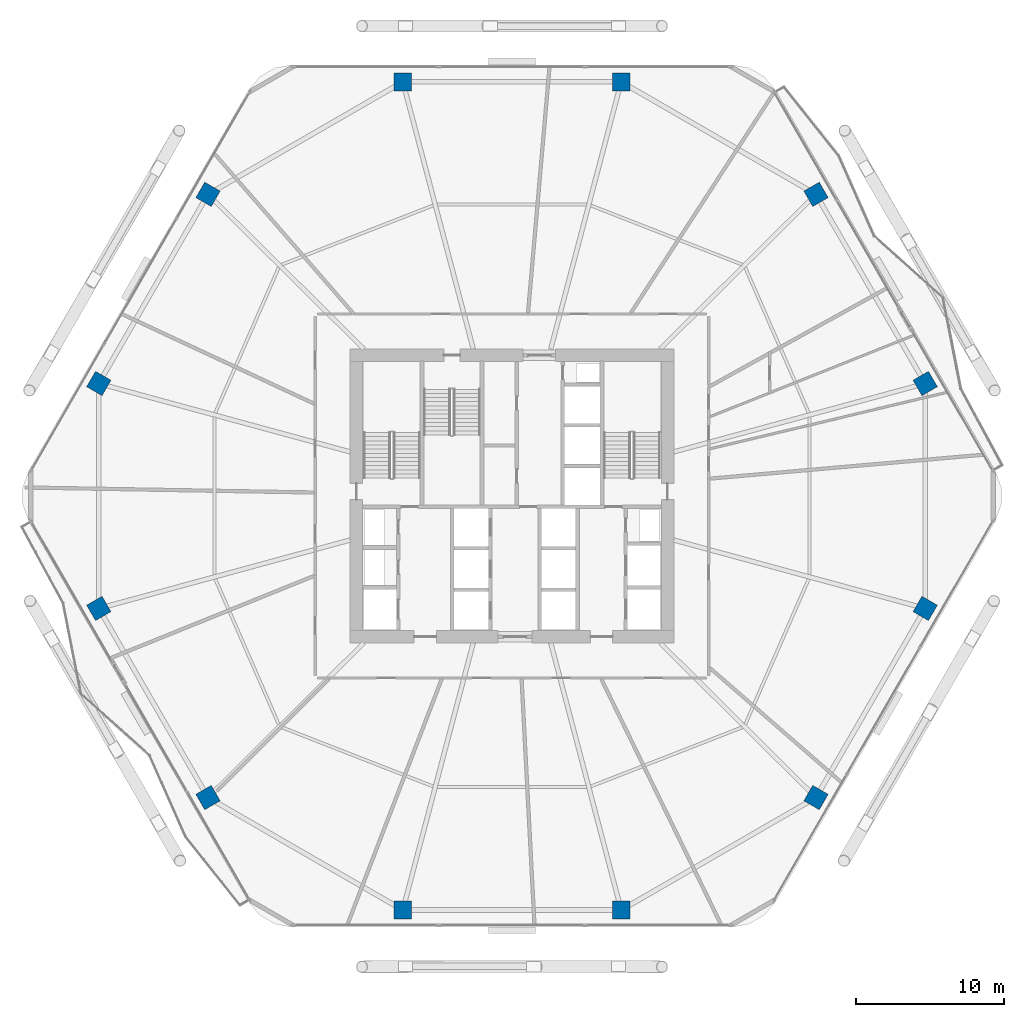
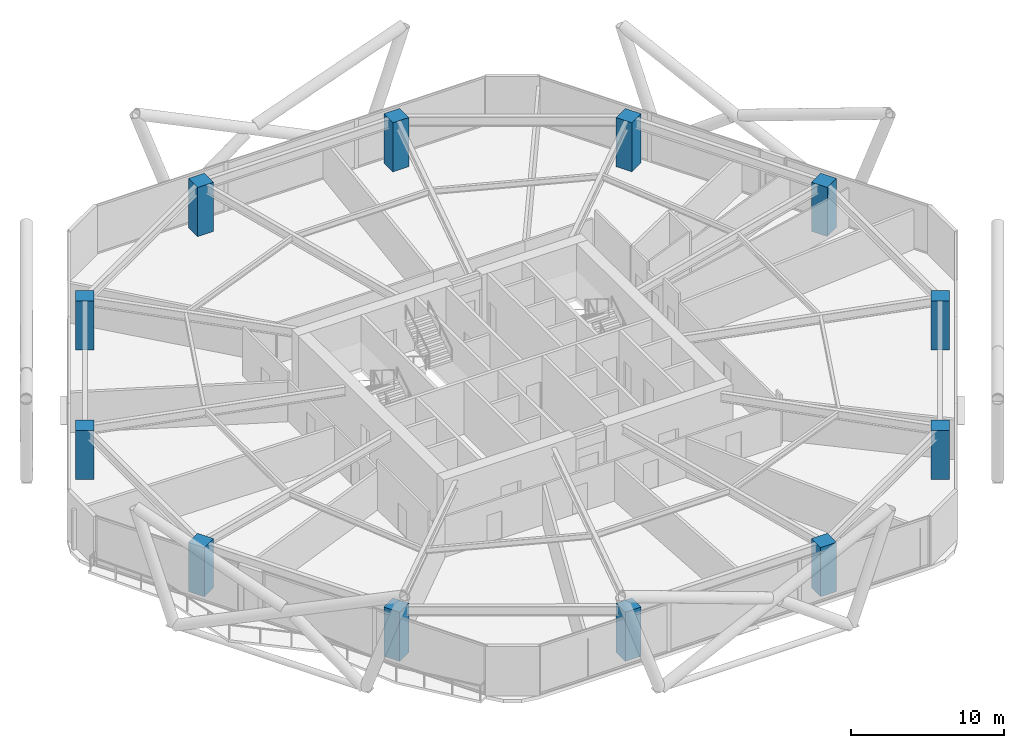
# One storey, part 1 of 30: 12 columns.
"""IFC4 building model written with IfcOpenShell, lengths in metres."""

from ifc_helpers import new_model, si_unit, direction, frame, origin, origin_2d, place, context, subcontext, project, spatial, rectangle, extrude, material, material_profile, profile_set, type_object, element, save


model = new_model("IFC4")

# Units and contexts
model_context = context("Model", 3, precision=1e-05, world=origin(), true_north=direction((0.0, 1.0)))
body_context = subcontext(model_context, "Body", "Model", "MODEL_VIEW")
ifc_project = project(units=[si_unit("LENGTHUNIT", "METRE"), si_unit("AREAUNIT", "SQUARE_METRE"), si_unit("VOLUMEUNIT", "CUBIC_METRE"), si_unit("PLANEANGLEUNIT", "RADIAN"), si_unit("MASSUNIT", "GRAM", prefix="KILO")], contexts=[model_context])

# Site, building, storey
site_placement = place(None, origin())
site = spatial("IfcSite", under=ifc_project, at=site_placement, CompositionType="ELEMENT")
building_placement = place(site_placement, origin())
building = spatial("IfcBuilding", under=site, at=building_placement, Name="Zuhravey Tower", CompositionType="ELEMENT")
storey_placement = place(building_placement, frame((0.0, 0.0, 16.199951171875)))
storey = spatial("IfcBuildingStorey", under=building, at=storey_placement, Name="L04", CompositionType="ELEMENT", Elevation=16.199951171875)

# Columns
ifc_material = material(Name="Concrete C60/75", Category="concrete")
ifc_material_profile = material_profile(ifc_material, rectangle(XDim=1.199951171875, YDim=1.199951171875, at=origin_2d()), Name="RC-1200x1200")
ifc_profile_set = profile_set([ifc_material_profile], Name="Concrete C60/75")
column_type = type_object("IfcColumnType", Name="Zone 1 Perimeter Column 1200x1200", PredefinedType="COLUMN", material=ifc_profile_set)
for number, where, z_axis, x_axis, name in (
    (1, (63.88916015625, 39.591552734375, 0.0), (0.0, 0.0, 1.0), (-0.5, 0.866025403784, 0.0), "L04 Perimeter Column PC01"),
    (2, (56.51904296875, 52.35693359375, 0.0), (0.0, 0.0, 1.0), (-0.5, 0.866025403784, 0.0), "L04 Perimeter Column PC02"),
    (3, (43.3701171875, 59.948486328125, 0.0), (0.0, 0.0, 1.0), (-1.0, 0.0, 0.0), "L04 Perimeter Column PC03"),
    (4, (28.6298828125, 59.948486328125, 0.0), (0.0, 0.0, 1.0), (-1.0, 0.0, 0.0), "L04 Perimeter Column PC04"),
    (5, (15.48095703125, 52.35693359375, 0.0), (0.0, 0.0, 1.0), (-0.5, -0.866025403784, 0.0), "L04 Perimeter Column PC05"),
    (6, (8.11083984375, 39.591552734375, 0.0), (0.0, 0.0, 1.0), (-0.5, -0.866025403784, 0.0), "L04 Perimeter Column PC06"),
    (7, (8.11083984375, 24.408447265625, 0.0), (0.0, 0.0, 1.0), (0.5, -0.866025403784, 0.0), "L04 Perimeter Column PC07"),
    (8, (15.48095703125, 11.64306640625, 0.0), (0.0, 0.0, 1.0), (0.5, -0.866025403784, 0.0), "L04 Perimeter Column PC08"),
    (9, (28.6298828125, 4.051513671875, 0.0), (0.0, 0.0, 1.0), (1.0, 0.0, 0.0), "L04 Perimeter Column PC09"),
    (10, (43.3701171875, 4.051513671875, 0.0), (0.0, 0.0, 1.0), (1.0, 0.0, 0.0), "L04 Perimeter Column PC10"),
    (11, (56.51904296875, 11.64306640625, 0.0), (0.0, 0.0, 1.0), (0.5, 0.866025403784, 0.0), "L04 Perimeter Column PC11"),
    (12, (63.88916015625, 24.408447265625, 0.0), (0.0, 0.0, 1.0), (0.5, 0.866025403784, 0.0), "L04 Perimeter Column PC12"),
):
    element("IfcColumn", number, at=place(storey_placement, frame(where, z_axis=z_axis, x_axis=x_axis)), inside=storey, type_object=column_type, Name=name, PredefinedType="COLUMN", context=body_context, shape_type="SweptSolid", body=[
        extrude(rectangle(XDim=1.199951171875, YDim=1.199951171875, at=origin_2d()), origin(), (0.0, 0.0, 1.0), 3.920166015625),
    ])

save(model, "model.ifc")
